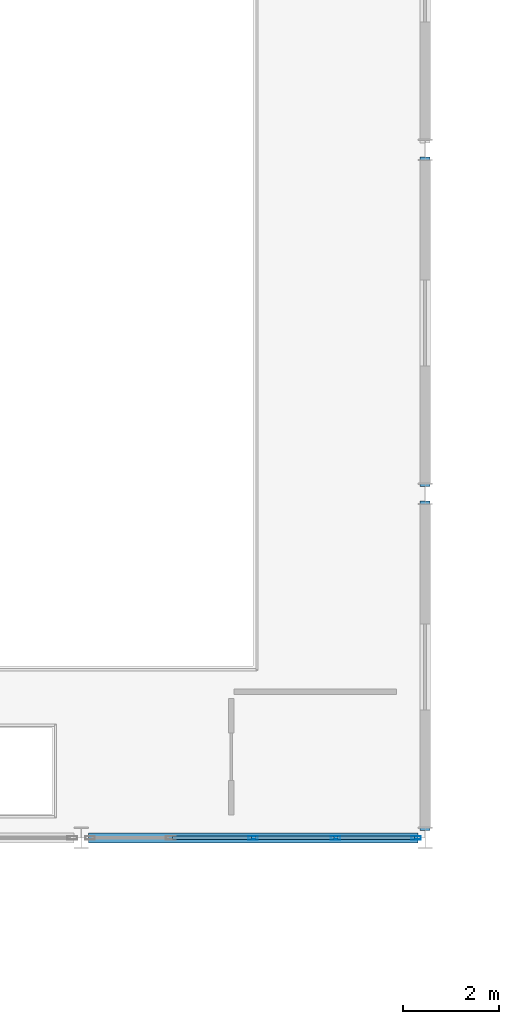
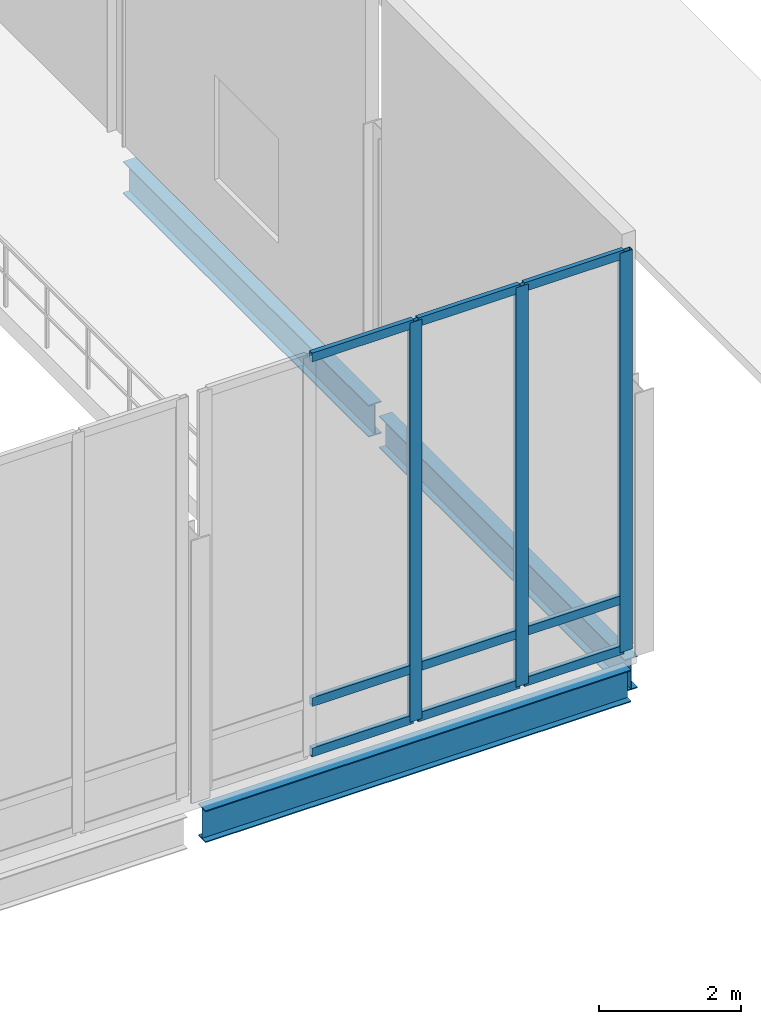
# One storey, part 25 of 110: 12 members, 3 beams, 1 element without a shape of its own.
"""IFC4 building model written with IfcOpenShell, lengths in metres."""

from ifc_helpers import new_model, si_unit, direction, frame, origin, origin_2d, place, context, subcontext, project, spatial, hollow_rectangle, i_section, extrude, material, material_profile, profile_set, type_object, element, aggregate, save


model = new_model("IFC4")

# Units and contexts
model_context = context("Model", 3, precision=1e-05, world=origin(), true_north=direction((0.0, 1.0)))
body_context = subcontext(model_context, "Body", "Model", "MODEL_VIEW")
ifc_project = project(units=[si_unit("LENGTHUNIT", "METRE"), si_unit("AREAUNIT", "SQUARE_METRE"), si_unit("VOLUMEUNIT", "CUBIC_METRE"), si_unit("PLANEANGLEUNIT", "RADIAN"), si_unit("MASSUNIT", "GRAM", prefix="KILO")], contexts=[model_context])

# Site, building, storey
site_placement = place(None, origin())
site = spatial("IfcSite", under=ifc_project, at=site_placement, CompositionType="ELEMENT")
building_placement = place(site_placement, origin())
building = spatial("IfcBuilding", under=site, at=building_placement, Name="Suanplinth Sawtooth Commons", CompositionType="ELEMENT")
storey_placement = place(building_placement, frame((0.0, 0.0, 4.5)))
storey = spatial("IfcBuildingStorey", under=building, at=storey_placement, Name="L01", CompositionType="ELEMENT", Elevation=4.5)

# Beams
ifc_material_1 = material(Name="Steel S355JR", Category="steel")
ifc_material_profile_1 = material_profile(ifc_material_1, i_section(OverallWidth=0.2099609375, OverallDepth=0.550048828125, WebThickness=0.010986328125, FlangeThickness=0.01708984375, at=origin_2d()), Name="IPE 550")
ifc_profile_set_1 = profile_set([ifc_material_profile_1], Name="Steel S355JR")
beam_type = type_object("IfcBeamType", Name="B-10", PredefinedType="USERDEFINED", material=ifc_profile_set_1)
beam_placement = place(storey_placement, frame((108.14990234375, 50.39990234375, -0.574951171875), z_axis=(1.0, 0.0, 0.0), x_axis=(0.0, 1.0, 0.0)))
element("IfcBeam", 1, at=beam_placement, inside=storey, type_object=beam_type, Name="BMX-L01-HALL-15-7", ObjectType="GIRDER", PredefinedType="USERDEFINED", context=body_context, shape_type="SweptSolid", body=[
    extrude(i_section(OverallWidth=0.2099609375, OverallDepth=0.550048828125, WebThickness=0.010986328125, FlangeThickness=0.01708984375, at=origin_2d()), origin(), (0.0, 0.0, 1.0), 6.900146484375),
])
for number, where, z_axis, x_axis, name in (
    (2, (115.199951171875, 50.550048828125, -0.574951171875), (0.0, 1.0, 0.0), (-1.0, 0.0, 0.0), "BMY-L01-HALL-16-7"),
    (3, (115.199951171875, 57.75, -0.574951171875), (0.0, 1.0, 0.0), (-1.0, 0.0, 0.0), "BMY-L01-HALL-16-8"),
):
    element("IfcBeam", number, at=place(storey_placement, frame(where, z_axis=z_axis, x_axis=x_axis)), inside=storey, type_object=beam_type, Name=name, ObjectType="GIRDER", PredefinedType="USERDEFINED", context=body_context, shape_type="SweptSolid", body=[
        extrude(i_section(OverallWidth=0.2099609375, OverallDepth=0.550048828125, WebThickness=0.010986328125, FlangeThickness=0.01708984375, at=origin_2d()), origin(), (0.0, 0.0, 1.0), 6.89990234375),
    ])

# Curtain wall, members
ifc_material_2 = material(Name="Anodized aluminium and low-E glazing", Category="aluminium")
curtain_wall_type = type_object("IfcCurtainWallType", Name="CW-01", PredefinedType="USERDEFINED", material=ifc_material_2)
curtain_wall_placement = place(storey_placement, origin())
curtain_wall = element("IfcCurtainWall", 4, at=curtain_wall_placement, inside=storey, type_object=curtain_wall_type, Name="Curtain Wall CW-L01-HALL-S-6", ObjectType="CURTAIN WALL", PredefinedType="USERDEFINED")
ifc_material_3 = material(Name="Anodized aluminium 6063-T6", Category="aluminium")
ifc_material_profile_2 = material_profile(ifc_material_3, hollow_rectangle(XDim=0.074951171875, YDim=0.199951171875, WallThickness=0.0048828125, at=origin_2d()), Name="ALU-MUL 75x200")
ifc_profile_set_2 = profile_set([ifc_material_profile_2], Name="Anodized aluminium 6063-T6")
member_type_1 = type_object("IfcMemberType", Name="M-14", PredefinedType="MULLION", material=ifc_profile_set_2)
member_1_placement = place(storey_placement, frame((111.60009765625, 50.39990234375, 0.0), z_axis=(0.0, 0.0, 1.0), x_axis=(0.0, 1.0, 0.0)))
member_1 = element("IfcMember", 5, at=member_1_placement, type_object=member_type_1, Name="CW-01 mullion 3", PredefinedType="MULLION", context=body_context, shape_type="SweptSolid", body=[
    extrude(hollow_rectangle(XDim=0.074951171875, YDim=0.199951171875, WallThickness=0.0048828125, at=origin_2d()), origin(), (0.0, 0.0, 1.0), 6.85009765625),
])
member_2_placement = place(storey_placement, frame((113.324951171875, 50.39990234375, 0.0), z_axis=(0.0, 0.0, 1.0), x_axis=(0.0, 1.0, 0.0)))
member_2 = element("IfcMember", 6, at=member_2_placement, type_object=member_type_1, Name="CW-01 mullion 4", PredefinedType="MULLION", context=body_context, shape_type="SweptSolid", body=[
    extrude(hollow_rectangle(XDim=0.074951171875, YDim=0.199951171875, WallThickness=0.0048828125, at=origin_2d()), origin(), (0.0, 0.0, 1.0), 6.85009765625),
])
member_3_placement = place(storey_placement, frame((115.012451171875, 50.39990234375, 0.0), z_axis=(0.0, 0.0, 1.0), x_axis=(0.0, 1.0, 0.0)))
member_3 = element("IfcMember", 7, at=member_3_placement, type_object=member_type_1, Name="CW-01 mullion 5", PredefinedType="MULLION", context=body_context, shape_type="SweptSolid", body=[
    extrude(hollow_rectangle(XDim=0.074951171875, YDim=0.199951171875, WallThickness=0.0048828125, at=origin_2d()), origin(), (0.0, 0.0, 1.0), 6.85009765625),
])
ifc_material_profile_3 = material_profile(ifc_material_3, hollow_rectangle(XDim=0.074951171875, YDim=0.14990234375, WallThickness=0.00439453125, at=origin_2d()), Name="ALU-TRN 75x150")
ifc_profile_set_3 = profile_set([ifc_material_profile_3], Name="Anodized aluminium 6063-T6")
member_type_2 = type_object("IfcMemberType", Name="M-16", PredefinedType="USERDEFINED", material=ifc_profile_set_3)
member_4_placement = place(storey_placement, frame((109.91259765625, 50.39990234375, 0.03759765625), z_axis=(1.0, 0.0, 0.0), x_axis=(0.0, 1.0, 0.0)))
member_4 = element("IfcMember", 8, at=member_4_placement, type_object=member_type_2, Name="CW-01 transom 2.1", ObjectType="TRANSOM", PredefinedType="USERDEFINED", context=body_context, shape_type="SweptSolid", body=[
    extrude(hollow_rectangle(XDim=0.074951171875, YDim=0.14990234375, WallThickness=0.00439453125, at=origin_2d()), origin(), (0.0, 0.0, 1.0), 1.64990234375),
])
member_5_placement = place(storey_placement, frame((109.91259765625, 50.39990234375, 0.89990234375), z_axis=(1.0, 0.0, 0.0), x_axis=(0.0, 1.0, 0.0)))
member_5 = element("IfcMember", 9, at=member_5_placement, type_object=member_type_2, Name="CW-01 transom 2.2", ObjectType="TRANSOM", PredefinedType="USERDEFINED", context=body_context, shape_type="SweptSolid", body=[
    extrude(hollow_rectangle(XDim=0.074951171875, YDim=0.14990234375, WallThickness=0.00439453125, at=origin_2d()), origin(), (0.0, 0.0, 1.0), 1.64990234375),
])
member_6_placement = place(storey_placement, frame((109.91259765625, 50.39990234375, 6.8125), z_axis=(1.0, 0.0, 0.0), x_axis=(0.0, 1.0, 0.0)))
member_6 = element("IfcMember", 10, at=member_6_placement, type_object=member_type_2, Name="CW-01 transom 2.3", ObjectType="TRANSOM", PredefinedType="USERDEFINED", context=body_context, shape_type="SweptSolid", body=[
    extrude(hollow_rectangle(XDim=0.074951171875, YDim=0.14990234375, WallThickness=0.00439453125, at=origin_2d()), origin(), (0.0, 0.0, 1.0), 1.64990234375),
])
member_7_placement = place(storey_placement, frame((111.637451171875, 50.39990234375, 0.03759765625), z_axis=(1.0, 0.0, 0.0), x_axis=(0.0, 1.0, 0.0)))
member_7 = element("IfcMember", 11, at=member_7_placement, type_object=member_type_2, Name="CW-01 transom 3.1", ObjectType="TRANSOM", PredefinedType="USERDEFINED", context=body_context, shape_type="SweptSolid", body=[
    extrude(hollow_rectangle(XDim=0.074951171875, YDim=0.14990234375, WallThickness=0.00439453125, at=origin_2d()), origin(), (0.0, 0.0, 1.0), 1.650146484375),
])
member_8_placement = place(storey_placement, frame((111.637451171875, 50.39990234375, 0.89990234375), z_axis=(1.0, 0.0, 0.0), x_axis=(0.0, 1.0, 0.0)))
member_8 = element("IfcMember", 12, at=member_8_placement, type_object=member_type_2, Name="CW-01 transom 3.2", ObjectType="TRANSOM", PredefinedType="USERDEFINED", context=body_context, shape_type="SweptSolid", body=[
    extrude(hollow_rectangle(XDim=0.074951171875, YDim=0.14990234375, WallThickness=0.00439453125, at=origin_2d()), origin(), (0.0, 0.0, 1.0), 1.650146484375),
])
member_9_placement = place(storey_placement, frame((111.637451171875, 50.39990234375, 6.8125), z_axis=(1.0, 0.0, 0.0), x_axis=(0.0, 1.0, 0.0)))
member_9 = element("IfcMember", 13, at=member_9_placement, type_object=member_type_2, Name="CW-01 transom 3.3", ObjectType="TRANSOM", PredefinedType="USERDEFINED", context=body_context, shape_type="SweptSolid", body=[
    extrude(hollow_rectangle(XDim=0.074951171875, YDim=0.14990234375, WallThickness=0.00439453125, at=origin_2d()), origin(), (0.0, 0.0, 1.0), 1.650146484375),
])
member_10_placement = place(storey_placement, frame((113.362548828125, 50.39990234375, 0.03759765625), z_axis=(1.0, 0.0, 0.0), x_axis=(0.0, 1.0, 0.0)))
member_10 = element("IfcMember", 14, at=member_10_placement, type_object=member_type_2, Name="CW-01 transom 4.1", ObjectType="TRANSOM", PredefinedType="USERDEFINED", context=body_context, shape_type="SweptSolid", body=[
    extrude(hollow_rectangle(XDim=0.074951171875, YDim=0.14990234375, WallThickness=0.00439453125, at=origin_2d()), origin(), (0.0, 0.0, 1.0), 1.612548828125),
])
member_11_placement = place(storey_placement, frame((113.362548828125, 50.39990234375, 0.89990234375), z_axis=(1.0, 0.0, 0.0), x_axis=(0.0, 1.0, 0.0)))
member_11 = element("IfcMember", 15, at=member_11_placement, type_object=member_type_2, Name="CW-01 transom 4.2", ObjectType="TRANSOM", PredefinedType="USERDEFINED", context=body_context, shape_type="SweptSolid", body=[
    extrude(hollow_rectangle(XDim=0.074951171875, YDim=0.14990234375, WallThickness=0.00439453125, at=origin_2d()), origin(), (0.0, 0.0, 1.0), 1.612548828125),
])
member_12_placement = place(storey_placement, frame((113.362548828125, 50.39990234375, 6.8125), z_axis=(1.0, 0.0, 0.0), x_axis=(0.0, 1.0, 0.0)))
member_12 = element("IfcMember", 16, at=member_12_placement, type_object=member_type_2, Name="CW-01 transom 4.3", ObjectType="TRANSOM", PredefinedType="USERDEFINED", context=body_context, shape_type="SweptSolid", body=[
    extrude(hollow_rectangle(XDim=0.074951171875, YDim=0.14990234375, WallThickness=0.00439453125, at=origin_2d()), origin(), (0.0, 0.0, 1.0), 1.612548828125),
])
aggregate(curtain_wall, [member_1, member_2, member_3, member_4, member_5, member_6, member_7, member_8, member_9, member_10, member_11, member_12])

save(model, "model.ifc")
